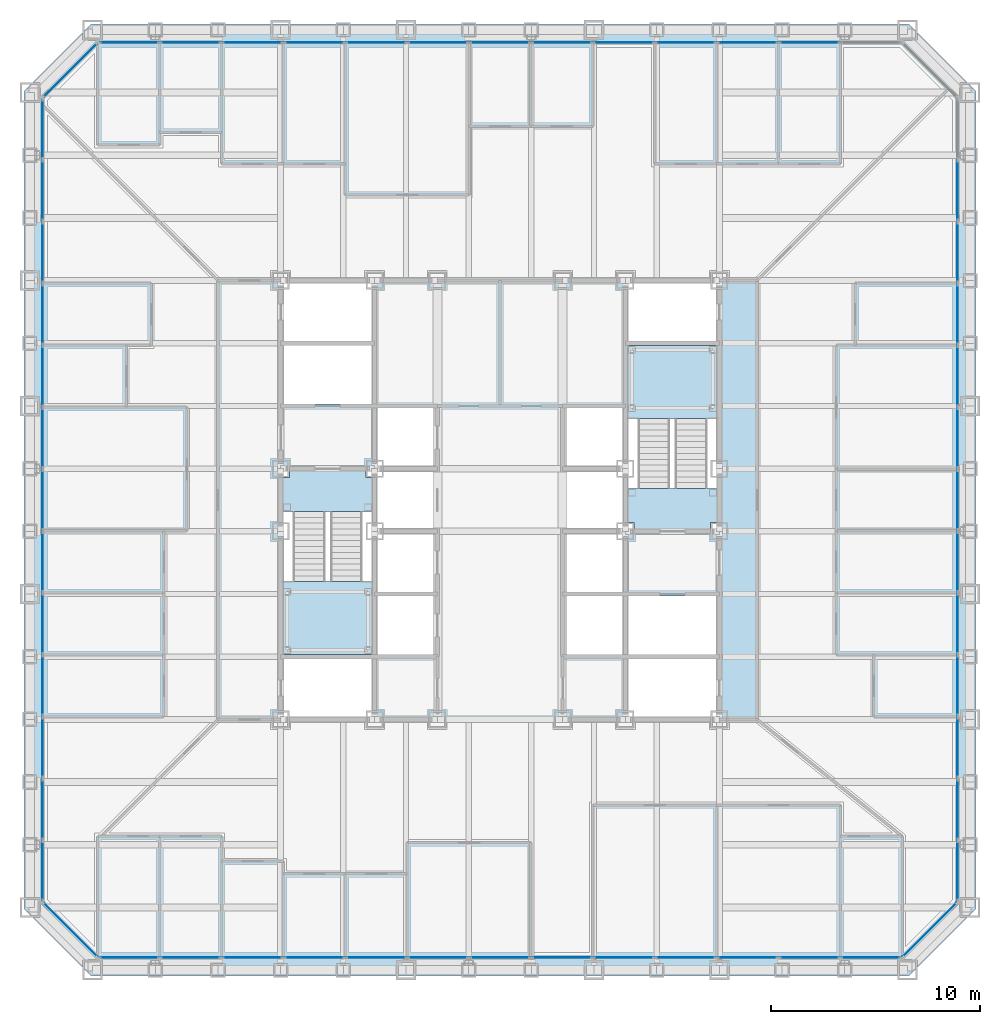
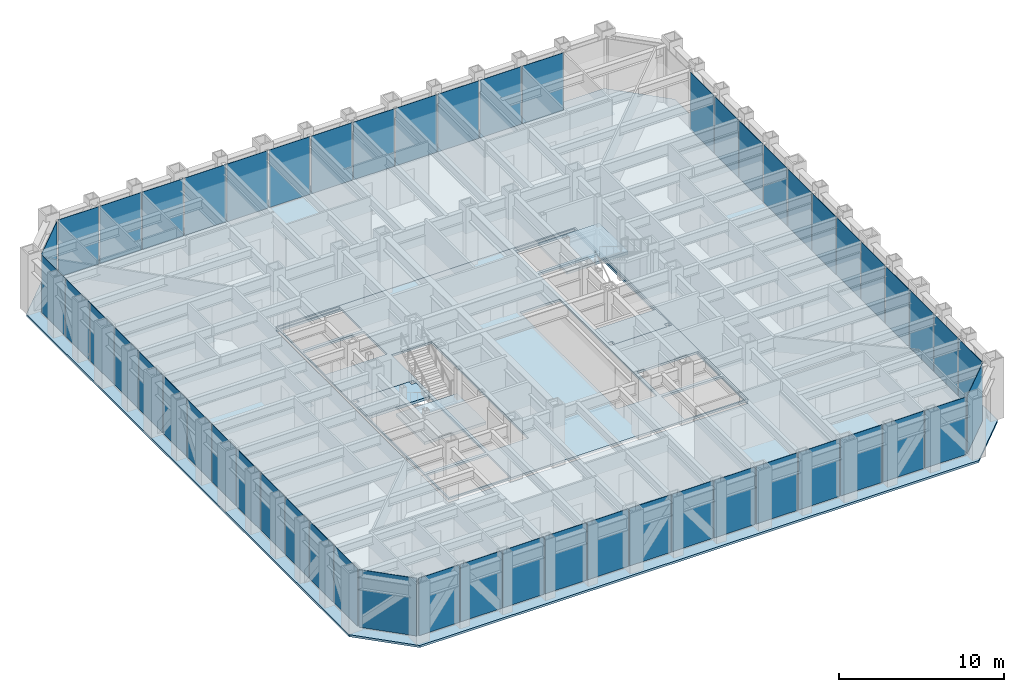
# One storey, part 7 of 17: 53 plates, 6 slabs, 9 elements without a shape of their own.
"""IFC4 building model written with IfcOpenShell, lengths in metres."""

from ifc_helpers import new_model, si_unit, direction, frame, origin, origin_2d, place, context, subcontext, project, spatial, polyline, rectangle, outline, extrude, material, layer, layer_set, type_object, element, aggregate, save


model = new_model("IFC4")

# Units and contexts
model_context = context("Model", 3, precision=1e-05, world=origin(), true_north=direction((0.0, 1.0)))
body_context = subcontext(model_context, "Body", "Model", "MODEL_VIEW")
ifc_project = project(units=[si_unit("LENGTHUNIT", "METRE"), si_unit("AREAUNIT", "SQUARE_METRE"), si_unit("VOLUMEUNIT", "CUBIC_METRE"), si_unit("PLANEANGLEUNIT", "RADIAN"), si_unit("MASSUNIT", "GRAM", prefix="KILO")], contexts=[model_context])

# Site, building, storey
site_placement = place(None, origin())
site = spatial("IfcSite", under=ifc_project, at=site_placement, CompositionType="ELEMENT")
building_placement = place(site_placement, origin())
building = spatial("IfcBuilding", under=site, at=building_placement, Name="Chuquiago Exchange Tower", CompositionType="ELEMENT")
storey_placement = place(building_placement, frame((0.0, 0.0, 42.300048828125)))
storey = spatial("IfcBuildingStorey", under=building, at=storey_placement, Name="L08", CompositionType="ELEMENT", Elevation=42.300048828125)

# Curtain wall, plates
ifc_material_1 = material(Name="Aluminium curtain wall system", Category="aluminium")
ifc_layer_1 = layer(ifc_material_1, 0.25)
ifc_layer_set_1 = layer_set([ifc_layer_1], Name="CW1 trading floor curtain wall")
curtain_wall_type_1 = type_object("IfcCurtainWallType", Name="CW1 trading floor curtain wall", PredefinedType="NOTDEFINED", material=ifc_layer_set_1)
curtain_wall_1_placement = place(storey_placement, origin())
curtain_wall_1 = element("IfcCurtainWall", 1, at=curtain_wall_1_placement, inside=storey, type_object=curtain_wall_type_1, Name="CW1 curtain wall L08", PredefinedType="NOTDEFINED")
ifc_material_2 = material(Name="Glass, insulating unit", Category="glass")
ifc_layer_2 = layer(ifc_material_2, 0.031982421875)
ifc_layer_set_2 = layer_set([ifc_layer_2], Name="CW1-P panel 32")
plate_type_1 = type_object("IfcPlateType", Name="CW1-P panel 32", PredefinedType="CURTAIN_PANEL", material=ifc_layer_set_2)
plate_1_placement = place(storey_placement, frame((10.65283203125, 0.60009765625, -0.22509765625), z_axis=(0.0, 0.0, 1.0), x_axis=(1.0, 0.0, 0.0)))
plate_1 = element("IfcPlate", 2, at=plate_1_placement, type_object=plate_type_1, Name="CW1 panel 3.1", PredefinedType="CURTAIN_PANEL", context=body_context, shape_type="SweptSolid", body=[
    extrude(rectangle(XDim=2.88671875, YDim=0.031982421875, at=origin_2d()), origin(), (0.0, 0.0, 1.0), 4.264892578125),
])
plate_2_placement = place(storey_placement, frame((13.61474609375, 0.60009765625, -0.22509765625), z_axis=(0.0, 0.0, 1.0), x_axis=(1.0, 0.0, 0.0)))
plate_2 = element("IfcPlate", 3, at=plate_2_placement, type_object=plate_type_1, Name="CW1 panel 4.1", PredefinedType="CURTAIN_PANEL", context=body_context, shape_type="SweptSolid", body=[
    extrude(rectangle(XDim=2.88671875, YDim=0.031982421875, at=origin_2d()), origin(), (0.0, 0.0, 1.0), 4.264892578125),
])
plate_3_placement = place(storey_placement, frame((16.576416015625, 0.60009765625, -0.22509765625), z_axis=(0.0, 0.0, 1.0), x_axis=(1.0, 0.0, 0.0)))
plate_3 = element("IfcPlate", 4, at=plate_3_placement, type_object=plate_type_1, Name="CW1 panel 5.1", PredefinedType="CURTAIN_PANEL", context=body_context, shape_type="SweptSolid", body=[
    extrude(rectangle(XDim=2.88671875, YDim=0.031982421875, at=origin_2d()), origin(), (0.0, 0.0, 1.0), 4.264892578125),
])
plate_4_placement = place(storey_placement, frame((25.461669921875, 0.60009765625, -0.22509765625), z_axis=(0.0, 0.0, 1.0), x_axis=(1.0, 0.0, 0.0)))
plate_4 = element("IfcPlate", 5, at=plate_4_placement, type_object=plate_type_1, Name="CW1 panel 8.1", PredefinedType="CURTAIN_PANEL", context=body_context, shape_type="SweptSolid", body=[
    extrude(rectangle(XDim=2.88671875, YDim=0.031982421875, at=origin_2d()), origin(), (0.0, 0.0, 1.0), 4.264892578125),
])
plate_5_placement = place(storey_placement, frame((28.423583984375, 0.60009765625, -0.22509765625), z_axis=(0.0, 0.0, 1.0), x_axis=(1.0, 0.0, 0.0)))
plate_5 = element("IfcPlate", 6, at=plate_5_placement, type_object=plate_type_1, Name="CW1 panel 9.1", PredefinedType="CURTAIN_PANEL", context=body_context, shape_type="SweptSolid", body=[
    extrude(rectangle(XDim=2.88671875, YDim=0.031982421875, at=origin_2d()), origin(), (0.0, 0.0, 1.0), 4.264892578125),
])
plate_6_placement = place(storey_placement, frame((31.38525390625, 0.60009765625, -0.22509765625), z_axis=(0.0, 0.0, 1.0), x_axis=(1.0, 0.0, 0.0)))
plate_6 = element("IfcPlate", 7, at=plate_6_placement, type_object=plate_type_1, Name="CW1 panel 10.1", PredefinedType="CURTAIN_PANEL", context=body_context, shape_type="SweptSolid", body=[
    extrude(rectangle(XDim=2.88671875, YDim=0.031982421875, at=origin_2d()), origin(), (0.0, 0.0, 1.0), 4.264892578125),
])
plate_7_placement = place(storey_placement, frame((34.34716796875, 0.60009765625, -0.22509765625), z_axis=(0.0, 0.0, 1.0), x_axis=(1.0, 0.0, 0.0)))
plate_7 = element("IfcPlate", 8, at=plate_7_placement, type_object=plate_type_1, Name="CW1 panel 11.1", PredefinedType="CURTAIN_PANEL", context=body_context, shape_type="SweptSolid", body=[
    extrude(rectangle(XDim=2.88671875, YDim=0.031982421875, at=origin_2d()), origin(), (0.0, 0.0, 1.0), 4.264892578125),
])

curtain_wall_2_placement = place(storey_placement, origin())
curtain_wall_2 = element("IfcCurtainWall", 9, at=curtain_wall_2_placement, inside=storey, type_object=curtain_wall_type_1, Name="CW1 curtain wall L08", PredefinedType="NOTDEFINED")
plate_8_placement = place(storey_placement, frame((44.39990234375, 10.65283203125, -0.22509765625), z_axis=(0.0, 0.0, 1.0), x_axis=(0.0, 1.0, 0.0)))
plate_8 = element("IfcPlate", 10, at=plate_8_placement, type_object=plate_type_1, Name="CW1 panel 3.1", PredefinedType="CURTAIN_PANEL", context=body_context, shape_type="SweptSolid", body=[
    extrude(rectangle(XDim=2.88671875, YDim=0.031982421875, at=origin_2d()), origin(), (0.0, 0.0, 1.0), 4.264892578125),
])
plate_9_placement = place(storey_placement, frame((44.39990234375, 13.61474609375, -0.22509765625), z_axis=(0.0, 0.0, 1.0), x_axis=(0.0, 1.0, 0.0)))
plate_9 = element("IfcPlate", 11, at=plate_9_placement, type_object=plate_type_1, Name="CW1 panel 4.1", PredefinedType="CURTAIN_PANEL", context=body_context, shape_type="SweptSolid", body=[
    extrude(rectangle(XDim=2.88671875, YDim=0.031982421875, at=origin_2d()), origin(), (0.0, 0.0, 1.0), 4.264892578125),
])
plate_10_placement = place(storey_placement, frame((44.39990234375, 16.576416015625, -0.22509765625), z_axis=(0.0, 0.0, 1.0), x_axis=(0.0, 1.0, 0.0)))
plate_10 = element("IfcPlate", 12, at=plate_10_placement, type_object=plate_type_1, Name="CW1 panel 5.1", PredefinedType="CURTAIN_PANEL", context=body_context, shape_type="SweptSolid", body=[
    extrude(rectangle(XDim=2.88671875, YDim=0.031982421875, at=origin_2d()), origin(), (0.0, 0.0, 1.0), 4.264892578125),
])
plate_11_placement = place(storey_placement, frame((44.39990234375, 25.461669921875, -0.22509765625), z_axis=(0.0, 0.0, 1.0), x_axis=(0.0, 1.0, 0.0)))
plate_11 = element("IfcPlate", 13, at=plate_11_placement, type_object=plate_type_1, Name="CW1 panel 8.1", PredefinedType="CURTAIN_PANEL", context=body_context, shape_type="SweptSolid", body=[
    extrude(rectangle(XDim=2.88671875, YDim=0.031982421875, at=origin_2d()), origin(), (0.0, 0.0, 1.0), 4.264892578125),
])
plate_12_placement = place(storey_placement, frame((44.39990234375, 28.423583984375, -0.22509765625), z_axis=(0.0, 0.0, 1.0), x_axis=(0.0, 1.0, 0.0)))
plate_12 = element("IfcPlate", 14, at=plate_12_placement, type_object=plate_type_1, Name="CW1 panel 9.1", PredefinedType="CURTAIN_PANEL", context=body_context, shape_type="SweptSolid", body=[
    extrude(rectangle(XDim=2.88671875, YDim=0.031982421875, at=origin_2d()), origin(), (0.0, 0.0, 1.0), 4.264892578125),
])
plate_13_placement = place(storey_placement, frame((44.39990234375, 31.38525390625, -0.22509765625), z_axis=(0.0, 0.0, 1.0), x_axis=(0.0, 1.0, 0.0)))
plate_13 = element("IfcPlate", 15, at=plate_13_placement, type_object=plate_type_1, Name="CW1 panel 10.1", PredefinedType="CURTAIN_PANEL", context=body_context, shape_type="SweptSolid", body=[
    extrude(rectangle(XDim=2.88671875, YDim=0.031982421875, at=origin_2d()), origin(), (0.0, 0.0, 1.0), 4.264892578125),
])
plate_14_placement = place(storey_placement, frame((44.39990234375, 34.34716796875, -0.22509765625), z_axis=(0.0, 0.0, 1.0), x_axis=(0.0, 1.0, 0.0)))
plate_14 = element("IfcPlate", 16, at=plate_14_placement, type_object=plate_type_1, Name="CW1 panel 11.1", PredefinedType="CURTAIN_PANEL", context=body_context, shape_type="SweptSolid", body=[
    extrude(rectangle(XDim=2.88671875, YDim=0.031982421875, at=origin_2d()), origin(), (0.0, 0.0, 1.0), 4.264892578125),
])

curtain_wall_3_placement = place(storey_placement, origin())
curtain_wall_3 = element("IfcCurtainWall", 17, at=curtain_wall_3_placement, inside=storey, type_object=curtain_wall_type_1, Name="CW1 curtain wall L08", PredefinedType="NOTDEFINED")
plate_15_placement = place(storey_placement, frame((34.34716796875, 44.39990234375, -0.22509765625), z_axis=(0.0, 0.0, 1.0), x_axis=(-1.0, 0.0, 0.0)))
plate_15 = element("IfcPlate", 18, at=plate_15_placement, type_object=plate_type_1, Name="CW1 panel 3.1", PredefinedType="CURTAIN_PANEL", context=body_context, shape_type="SweptSolid", body=[
    extrude(rectangle(XDim=2.88671875, YDim=0.031982421875, at=origin_2d()), origin(), (0.0, 0.0, 1.0), 4.264892578125),
])
plate_16_placement = place(storey_placement, frame((31.38525390625, 44.39990234375, -0.22509765625), z_axis=(0.0, 0.0, 1.0), x_axis=(-1.0, 0.0, 0.0)))
plate_16 = element("IfcPlate", 19, at=plate_16_placement, type_object=plate_type_1, Name="CW1 panel 4.1", PredefinedType="CURTAIN_PANEL", context=body_context, shape_type="SweptSolid", body=[
    extrude(rectangle(XDim=2.88671875, YDim=0.031982421875, at=origin_2d()), origin(), (0.0, 0.0, 1.0), 4.264892578125),
])
plate_17_placement = place(storey_placement, frame((28.423583984375, 44.39990234375, -0.22509765625), z_axis=(0.0, 0.0, 1.0), x_axis=(-1.0, 0.0, 0.0)))
plate_17 = element("IfcPlate", 20, at=plate_17_placement, type_object=plate_type_1, Name="CW1 panel 5.1", PredefinedType="CURTAIN_PANEL", context=body_context, shape_type="SweptSolid", body=[
    extrude(rectangle(XDim=2.88671875, YDim=0.031982421875, at=origin_2d()), origin(), (0.0, 0.0, 1.0), 4.264892578125),
])
plate_18_placement = place(storey_placement, frame((19.538330078125, 44.39990234375, -0.22509765625), z_axis=(0.0, 0.0, 1.0), x_axis=(-1.0, 0.0, 0.0)))
plate_18 = element("IfcPlate", 21, at=plate_18_placement, type_object=plate_type_1, Name="CW1 panel 8.1", PredefinedType="CURTAIN_PANEL", context=body_context, shape_type="SweptSolid", body=[
    extrude(rectangle(XDim=2.88671875, YDim=0.031982421875, at=origin_2d()), origin(), (0.0, 0.0, 1.0), 4.264892578125),
])
plate_19_placement = place(storey_placement, frame((16.576416015625, 44.39990234375, -0.22509765625), z_axis=(0.0, 0.0, 1.0), x_axis=(-1.0, 0.0, 0.0)))
plate_19 = element("IfcPlate", 22, at=plate_19_placement, type_object=plate_type_1, Name="CW1 panel 9.1", PredefinedType="CURTAIN_PANEL", context=body_context, shape_type="SweptSolid", body=[
    extrude(rectangle(XDim=2.88671875, YDim=0.031982421875, at=origin_2d()), origin(), (0.0, 0.0, 1.0), 4.264892578125),
])
plate_20_placement = place(storey_placement, frame((13.61474609375, 44.39990234375, -0.22509765625), z_axis=(0.0, 0.0, 1.0), x_axis=(-1.0, 0.0, 0.0)))
plate_20 = element("IfcPlate", 23, at=plate_20_placement, type_object=plate_type_1, Name="CW1 panel 10.1", PredefinedType="CURTAIN_PANEL", context=body_context, shape_type="SweptSolid", body=[
    extrude(rectangle(XDim=2.88671875, YDim=0.031982421875, at=origin_2d()), origin(), (0.0, 0.0, 1.0), 4.264892578125),
])
plate_21_placement = place(storey_placement, frame((10.65283203125, 44.39990234375, -0.22509765625), z_axis=(0.0, 0.0, 1.0), x_axis=(-1.0, 0.0, 0.0)))
plate_21 = element("IfcPlate", 24, at=plate_21_placement, type_object=plate_type_1, Name="CW1 panel 11.1", PredefinedType="CURTAIN_PANEL", context=body_context, shape_type="SweptSolid", body=[
    extrude(rectangle(XDim=2.88671875, YDim=0.031982421875, at=origin_2d()), origin(), (0.0, 0.0, 1.0), 4.264892578125),
])

curtain_wall_4_placement = place(storey_placement, origin())
curtain_wall_4 = element("IfcCurtainWall", 25, at=curtain_wall_4_placement, inside=storey, type_object=curtain_wall_type_1, Name="CW1 curtain wall L08", PredefinedType="NOTDEFINED")
plate_22_placement = place(storey_placement, frame((0.60009765625, 34.34716796875, -0.22509765625), z_axis=(0.0, 0.0, 1.0), x_axis=(0.0, -1.0, 0.0)))
plate_22 = element("IfcPlate", 26, at=plate_22_placement, type_object=plate_type_1, Name="CW1 panel 3.1", PredefinedType="CURTAIN_PANEL", context=body_context, shape_type="SweptSolid", body=[
    extrude(rectangle(XDim=2.88671875, YDim=0.031982421875, at=origin_2d()), origin(), (0.0, 0.0, 1.0), 4.264892578125),
])
plate_23_placement = place(storey_placement, frame((0.60009765625, 31.38525390625, -0.22509765625), z_axis=(0.0, 0.0, 1.0), x_axis=(0.0, -1.0, 0.0)))
plate_23 = element("IfcPlate", 27, at=plate_23_placement, type_object=plate_type_1, Name="CW1 panel 4.1", PredefinedType="CURTAIN_PANEL", context=body_context, shape_type="SweptSolid", body=[
    extrude(rectangle(XDim=2.88671875, YDim=0.031982421875, at=origin_2d()), origin(), (0.0, 0.0, 1.0), 4.264892578125),
])
plate_24_placement = place(storey_placement, frame((0.60009765625, 28.423583984375, -0.22509765625), z_axis=(0.0, 0.0, 1.0), x_axis=(0.0, -1.0, 0.0)))
plate_24 = element("IfcPlate", 28, at=plate_24_placement, type_object=plate_type_1, Name="CW1 panel 5.1", PredefinedType="CURTAIN_PANEL", context=body_context, shape_type="SweptSolid", body=[
    extrude(rectangle(XDim=2.88671875, YDim=0.031982421875, at=origin_2d()), origin(), (0.0, 0.0, 1.0), 4.264892578125),
])
plate_25_placement = place(storey_placement, frame((0.60009765625, 19.538330078125, -0.22509765625), z_axis=(0.0, 0.0, 1.0), x_axis=(0.0, -1.0, 0.0)))
plate_25 = element("IfcPlate", 29, at=plate_25_placement, type_object=plate_type_1, Name="CW1 panel 8.1", PredefinedType="CURTAIN_PANEL", context=body_context, shape_type="SweptSolid", body=[
    extrude(rectangle(XDim=2.88671875, YDim=0.031982421875, at=origin_2d()), origin(), (0.0, 0.0, 1.0), 4.264892578125),
])
plate_26_placement = place(storey_placement, frame((0.60009765625, 16.576416015625, -0.22509765625), z_axis=(0.0, 0.0, 1.0), x_axis=(0.0, -1.0, 0.0)))
plate_26 = element("IfcPlate", 30, at=plate_26_placement, type_object=plate_type_1, Name="CW1 panel 9.1", PredefinedType="CURTAIN_PANEL", context=body_context, shape_type="SweptSolid", body=[
    extrude(rectangle(XDim=2.88671875, YDim=0.031982421875, at=origin_2d()), origin(), (0.0, 0.0, 1.0), 4.264892578125),
])
plate_27_placement = place(storey_placement, frame((0.60009765625, 13.61474609375, -0.22509765625), z_axis=(0.0, 0.0, 1.0), x_axis=(0.0, -1.0, 0.0)))
plate_27 = element("IfcPlate", 31, at=plate_27_placement, type_object=plate_type_1, Name="CW1 panel 10.1", PredefinedType="CURTAIN_PANEL", context=body_context, shape_type="SweptSolid", body=[
    extrude(rectangle(XDim=2.88671875, YDim=0.031982421875, at=origin_2d()), origin(), (0.0, 0.0, 1.0), 4.264892578125),
])
plate_28_placement = place(storey_placement, frame((0.60009765625, 10.65283203125, -0.22509765625), z_axis=(0.0, 0.0, 1.0), x_axis=(0.0, -1.0, 0.0)))
plate_28 = element("IfcPlate", 32, at=plate_28_placement, type_object=plate_type_1, Name="CW1 panel 11.1", PredefinedType="CURTAIN_PANEL", context=body_context, shape_type="SweptSolid", body=[
    extrude(rectangle(XDim=2.88671875, YDim=0.031982421875, at=origin_2d()), origin(), (0.0, 0.0, 1.0), 4.264892578125),
])

# Plate
ifc_material_3 = material(Name="Insulated spandrel panel, pale anodised aluminium", Category="aluminium")
ifc_layer_3 = layer(ifc_material_3, 0.031982421875)
ifc_layer_set_3 = layer_set([ifc_layer_3], Name="CW1-P spandrel panel 32")
plate_type_2 = type_object("IfcPlateType", Name="CW1-P spandrel panel 32", PredefinedType="CURTAIN_PANEL", material=ifc_layer_set_3)
plate_29_placement = place(storey_placement, frame((4.748046875, 0.60009765625, -0.22509765625), z_axis=(0.0, 0.0, 1.0), x_axis=(1.0, 0.0, 0.0)))
plate_29 = element("IfcPlate", 33, at=plate_29_placement, type_object=plate_type_2, Name="CW1 panel 1.1", PredefinedType="CURTAIN_PANEL", context=body_context, shape_type="SweptSolid", body=[
    extrude(rectangle(XDim=2.849365234375, YDim=0.031982421875, at=origin_2d()), origin(), (0.0, 0.0, 1.0), 4.264892578125),
])

plate_30_placement = place(storey_placement, frame((7.691162109375, 0.60009765625, -0.22509765625), z_axis=(0.0, 0.0, 1.0), x_axis=(1.0, 0.0, 0.0)))
plate_30 = element("IfcPlate", 34, at=plate_30_placement, type_object=plate_type_2, Name="CW1 panel 2.1", PredefinedType="CURTAIN_PANEL", context=body_context, shape_type="SweptSolid", body=[
    extrude(rectangle(XDim=2.88671875, YDim=0.031982421875, at=origin_2d()), origin(), (0.0, 0.0, 1.0), 4.264892578125),
])

plate_31_placement = place(storey_placement, frame((19.538330078125, 0.60009765625, -0.22509765625), z_axis=(0.0, 0.0, 1.0), x_axis=(1.0, 0.0, 0.0)))
plate_31 = element("IfcPlate", 35, at=plate_31_placement, type_object=plate_type_2, Name="CW1 panel 6.1", PredefinedType="CURTAIN_PANEL", context=body_context, shape_type="SweptSolid", body=[
    extrude(rectangle(XDim=2.88671875, YDim=0.031982421875, at=origin_2d()), origin(), (0.0, 0.0, 1.0), 4.264892578125),
])

plate_32_placement = place(storey_placement, frame((22.5, 0.60009765625, -0.22509765625), z_axis=(0.0, 0.0, 1.0), x_axis=(1.0, 0.0, 0.0)))
plate_32 = element("IfcPlate", 36, at=plate_32_placement, type_object=plate_type_2, Name="CW1 panel 7.1", PredefinedType="CURTAIN_PANEL", context=body_context, shape_type="SweptSolid", body=[
    extrude(rectangle(XDim=2.88671875, YDim=0.031982421875, at=origin_2d()), origin(), (0.0, 0.0, 1.0), 4.264892578125),
])

plate_33_placement = place(storey_placement, frame((37.308837890625, 0.60009765625, -0.22509765625), z_axis=(0.0, 0.0, 1.0), x_axis=(1.0, 0.0, 0.0)))
plate_33 = element("IfcPlate", 37, at=plate_33_placement, type_object=plate_type_2, Name="CW1 panel 12.1", PredefinedType="CURTAIN_PANEL", context=body_context, shape_type="SweptSolid", body=[
    extrude(rectangle(XDim=2.88671875, YDim=0.031982421875, at=origin_2d()), origin(), (0.0, 0.0, 1.0), 4.264892578125),
])

plate_34_placement = place(storey_placement, frame((40.251953125, 0.60009765625, -0.22509765625), z_axis=(0.0, 0.0, 1.0), x_axis=(1.0, 0.0, 0.0)))
plate_34 = element("IfcPlate", 38, at=plate_34_placement, type_object=plate_type_2, Name="CW1 panel 13.1", PredefinedType="CURTAIN_PANEL", context=body_context, shape_type="SweptSolid", body=[
    extrude(rectangle(XDim=2.849365234375, YDim=0.031982421875, at=origin_2d()), origin(), (0.0, 0.0, 1.0), 4.264892578125),
])

aggregate(curtain_wall_1, [plate_29, plate_30, plate_1, plate_2, plate_3, plate_31, plate_32, plate_4, plate_5, plate_6, plate_7, plate_33, plate_34])

plate_35_placement = place(storey_placement, frame((44.39990234375, 4.748046875, -0.22509765625), z_axis=(0.0, 0.0, 1.0), x_axis=(0.0, 1.0, 0.0)))
plate_35 = element("IfcPlate", 39, at=plate_35_placement, type_object=plate_type_2, Name="CW1 panel 1.1", PredefinedType="CURTAIN_PANEL", context=body_context, shape_type="SweptSolid", body=[
    extrude(rectangle(XDim=2.849365234375, YDim=0.031982421875, at=origin_2d()), origin(), (0.0, 0.0, 1.0), 4.264892578125),
])

plate_36_placement = place(storey_placement, frame((44.39990234375, 7.691162109375, -0.22509765625), z_axis=(0.0, 0.0, 1.0), x_axis=(0.0, 1.0, 0.0)))
plate_36 = element("IfcPlate", 40, at=plate_36_placement, type_object=plate_type_2, Name="CW1 panel 2.1", PredefinedType="CURTAIN_PANEL", context=body_context, shape_type="SweptSolid", body=[
    extrude(rectangle(XDim=2.88671875, YDim=0.031982421875, at=origin_2d()), origin(), (0.0, 0.0, 1.0), 4.264892578125),
])

plate_37_placement = place(storey_placement, frame((44.39990234375, 19.538330078125, -0.22509765625), z_axis=(0.0, 0.0, 1.0), x_axis=(0.0, 1.0, 0.0)))
plate_37 = element("IfcPlate", 41, at=plate_37_placement, type_object=plate_type_2, Name="CW1 panel 6.1", PredefinedType="CURTAIN_PANEL", context=body_context, shape_type="SweptSolid", body=[
    extrude(rectangle(XDim=2.88671875, YDim=0.031982421875, at=origin_2d()), origin(), (0.0, 0.0, 1.0), 4.264892578125),
])

plate_38_placement = place(storey_placement, frame((44.39990234375, 22.5, -0.22509765625), z_axis=(0.0, 0.0, 1.0), x_axis=(0.0, 1.0, 0.0)))
plate_38 = element("IfcPlate", 42, at=plate_38_placement, type_object=plate_type_2, Name="CW1 panel 7.1", PredefinedType="CURTAIN_PANEL", context=body_context, shape_type="SweptSolid", body=[
    extrude(rectangle(XDim=2.88671875, YDim=0.031982421875, at=origin_2d()), origin(), (0.0, 0.0, 1.0), 4.264892578125),
])

plate_39_placement = place(storey_placement, frame((44.39990234375, 37.308837890625, -0.22509765625), z_axis=(0.0, 0.0, 1.0), x_axis=(0.0, 1.0, 0.0)))
plate_39 = element("IfcPlate", 43, at=plate_39_placement, type_object=plate_type_2, Name="CW1 panel 12.1", PredefinedType="CURTAIN_PANEL", context=body_context, shape_type="SweptSolid", body=[
    extrude(rectangle(XDim=2.88671875, YDim=0.031982421875, at=origin_2d()), origin(), (0.0, 0.0, 1.0), 4.264892578125),
])

aggregate(curtain_wall_2, [plate_35, plate_36, plate_8, plate_9, plate_10, plate_37, plate_38, plate_11, plate_12, plate_13, plate_14, plate_39])

plate_40_placement = place(storey_placement, frame((37.308837890625, 44.39990234375, -0.22509765625), z_axis=(0.0, 0.0, 1.0), x_axis=(-1.0, 0.0, 0.0)))
plate_40 = element("IfcPlate", 44, at=plate_40_placement, type_object=plate_type_2, Name="CW1 panel 2.1", PredefinedType="CURTAIN_PANEL", context=body_context, shape_type="SweptSolid", body=[
    extrude(rectangle(XDim=2.88671875, YDim=0.031982421875, at=origin_2d()), origin(), (0.0, 0.0, 1.0), 4.264892578125),
])

plate_41_placement = place(storey_placement, frame((25.461669921875, 44.39990234375, -0.22509765625), z_axis=(0.0, 0.0, 1.0), x_axis=(-1.0, 0.0, 0.0)))
plate_41 = element("IfcPlate", 45, at=plate_41_placement, type_object=plate_type_2, Name="CW1 panel 6.1", PredefinedType="CURTAIN_PANEL", context=body_context, shape_type="SweptSolid", body=[
    extrude(rectangle(XDim=2.88671875, YDim=0.031982421875, at=origin_2d()), origin(), (0.0, 0.0, 1.0), 4.264892578125),
])

plate_42_placement = place(storey_placement, frame((22.5, 44.39990234375, -0.22509765625), z_axis=(0.0, 0.0, 1.0), x_axis=(-1.0, 0.0, 0.0)))
plate_42 = element("IfcPlate", 46, at=plate_42_placement, type_object=plate_type_2, Name="CW1 panel 7.1", PredefinedType="CURTAIN_PANEL", context=body_context, shape_type="SweptSolid", body=[
    extrude(rectangle(XDim=2.88671875, YDim=0.031982421875, at=origin_2d()), origin(), (0.0, 0.0, 1.0), 4.264892578125),
])

plate_43_placement = place(storey_placement, frame((7.691162109375, 44.39990234375, -0.22509765625), z_axis=(0.0, 0.0, 1.0), x_axis=(-1.0, 0.0, 0.0)))
plate_43 = element("IfcPlate", 47, at=plate_43_placement, type_object=plate_type_2, Name="CW1 panel 12.1", PredefinedType="CURTAIN_PANEL", context=body_context, shape_type="SweptSolid", body=[
    extrude(rectangle(XDim=2.88671875, YDim=0.031982421875, at=origin_2d()), origin(), (0.0, 0.0, 1.0), 4.264892578125),
])

plate_44_placement = place(storey_placement, frame((4.748046875, 44.39990234375, -0.22509765625), z_axis=(0.0, 0.0, 1.0), x_axis=(-1.0, 0.0, 0.0)))
plate_44 = element("IfcPlate", 48, at=plate_44_placement, type_object=plate_type_2, Name="CW1 panel 13.1", PredefinedType="CURTAIN_PANEL", context=body_context, shape_type="SweptSolid", body=[
    extrude(rectangle(XDim=2.849365234375, YDim=0.031982421875, at=origin_2d()), origin(), (0.0, 0.0, 1.0), 4.264892578125),
])

aggregate(curtain_wall_3, [plate_40, plate_15, plate_16, plate_17, plate_41, plate_42, plate_18, plate_19, plate_20, plate_21, plate_43, plate_44])

plate_45_placement = place(storey_placement, frame((0.60009765625, 40.251953125, -0.22509765625), z_axis=(0.0, 0.0, 1.0), x_axis=(0.0, -1.0, 0.0)))
plate_45 = element("IfcPlate", 49, at=plate_45_placement, type_object=plate_type_2, Name="CW1 panel 1.1", PredefinedType="CURTAIN_PANEL", context=body_context, shape_type="SweptSolid", body=[
    extrude(rectangle(XDim=2.849365234375, YDim=0.031982421875, at=origin_2d()), origin(), (0.0, 0.0, 1.0), 4.264892578125),
])

plate_46_placement = place(storey_placement, frame((0.60009765625, 37.308837890625, -0.22509765625), z_axis=(0.0, 0.0, 1.0), x_axis=(0.0, -1.0, 0.0)))
plate_46 = element("IfcPlate", 50, at=plate_46_placement, type_object=plate_type_2, Name="CW1 panel 2.1", PredefinedType="CURTAIN_PANEL", context=body_context, shape_type="SweptSolid", body=[
    extrude(rectangle(XDim=2.88671875, YDim=0.031982421875, at=origin_2d()), origin(), (0.0, 0.0, 1.0), 4.264892578125),
])

plate_47_placement = place(storey_placement, frame((0.60009765625, 25.461669921875, -0.22509765625), z_axis=(0.0, 0.0, 1.0), x_axis=(0.0, -1.0, 0.0)))
plate_47 = element("IfcPlate", 51, at=plate_47_placement, type_object=plate_type_2, Name="CW1 panel 6.1", PredefinedType="CURTAIN_PANEL", context=body_context, shape_type="SweptSolid", body=[
    extrude(rectangle(XDim=2.88671875, YDim=0.031982421875, at=origin_2d()), origin(), (0.0, 0.0, 1.0), 4.264892578125),
])

plate_48_placement = place(storey_placement, frame((0.60009765625, 22.5, -0.22509765625), z_axis=(0.0, 0.0, 1.0), x_axis=(0.0, -1.0, 0.0)))
plate_48 = element("IfcPlate", 52, at=plate_48_placement, type_object=plate_type_2, Name="CW1 panel 7.1", PredefinedType="CURTAIN_PANEL", context=body_context, shape_type="SweptSolid", body=[
    extrude(rectangle(XDim=2.88671875, YDim=0.031982421875, at=origin_2d()), origin(), (0.0, 0.0, 1.0), 4.264892578125),
])

plate_49_placement = place(storey_placement, frame((0.60009765625, 7.691162109375, -0.22509765625), z_axis=(0.0, 0.0, 1.0), x_axis=(0.0, -1.0, 0.0)))
plate_49 = element("IfcPlate", 53, at=plate_49_placement, type_object=plate_type_2, Name="CW1 panel 12.1", PredefinedType="CURTAIN_PANEL", context=body_context, shape_type="SweptSolid", body=[
    extrude(rectangle(XDim=2.88671875, YDim=0.031982421875, at=origin_2d()), origin(), (0.0, 0.0, 1.0), 4.264892578125),
])

plate_50_placement = place(storey_placement, frame((0.60009765625, 4.748046875, -0.22509765625), z_axis=(0.0, 0.0, 1.0), x_axis=(0.0, -1.0, 0.0)))
plate_50 = element("IfcPlate", 54, at=plate_50_placement, type_object=plate_type_2, Name="CW1 panel 13.1", PredefinedType="CURTAIN_PANEL", context=body_context, shape_type="SweptSolid", body=[
    extrude(rectangle(XDim=2.849365234375, YDim=0.031982421875, at=origin_2d()), origin(), (0.0, 0.0, 1.0), 4.264892578125),
])

aggregate(curtain_wall_4, [plate_45, plate_46, plate_22, plate_23, plate_24, plate_47, plate_48, plate_25, plate_26, plate_27, plate_28, plate_49, plate_50])

# Curtain wall, plate
ifc_material_4 = material(Name="Aluminium curtain wall system", Category="aluminium")
ifc_layer_4 = layer(ifc_material_4, 0.199951171875)
ifc_layer_set_4 = layer_set([ifc_layer_4], Name="CW3 facet curtain wall")
curtain_wall_type_2 = type_object("IfcCurtainWallType", Name="CW3 facet curtain wall", PredefinedType="NOTDEFINED", material=ifc_layer_set_4)
curtain_wall_5_placement = place(storey_placement, origin())
curtain_wall_5 = element("IfcCurtainWall", 55, at=curtain_wall_5_placement, inside=storey, type_object=curtain_wall_type_2, Name="CW3 curtain wall L08", PredefinedType="NOTDEFINED")
ifc_material_5 = material(Name="Insulated spandrel panel, pale anodised aluminium", Category="aluminium")
ifc_layer_5 = layer(ifc_material_5, 0.030029296875)
ifc_layer_set_5 = layer_set([ifc_layer_5], Name="CW3-P spandrel panel 30")
plate_type_3 = type_object("IfcPlateType", Name="CW3-P spandrel panel 30", PredefinedType="CURTAIN_PANEL", material=ifc_layer_set_5)
plate_51_placement = place(storey_placement, frame((43.07568359375, 1.92431640625, -0.235107421875), z_axis=(0.0, 0.0, 1.0), x_axis=(0.707106781187, 0.707106781187, 0.0)))
plate_51 = element("IfcPlate", 56, at=plate_51_placement, type_object=plate_type_3, Name="CW3 panel 1.1", PredefinedType="CURTAIN_PANEL", context=body_context, shape_type="SweptSolid", body=[
    extrude(rectangle(XDim=3.615478515625, YDim=0.030029296875, at=origin_2d()), origin(), (0.0, 0.0, 1.0), 4.27490234375),
])
aggregate(curtain_wall_5, [plate_51])

curtain_wall_6_placement = place(storey_placement, origin())
curtain_wall_6 = element("IfcCurtainWall", 57, at=curtain_wall_6_placement, inside=storey, type_object=curtain_wall_type_2, Name="CW3 curtain wall L08", PredefinedType="NOTDEFINED")
plate_52_placement = place(storey_placement, frame((1.92431640625, 43.07568359375, -0.235107421875), z_axis=(0.0, 0.0, 1.0), x_axis=(-0.707106781187, -0.707106781187, 0.0)))
plate_52 = element("IfcPlate", 58, at=plate_52_placement, type_object=plate_type_3, Name="CW3 panel 1.1", PredefinedType="CURTAIN_PANEL", context=body_context, shape_type="SweptSolid", body=[
    extrude(rectangle(XDim=3.615478515625, YDim=0.030029296875, at=origin_2d()), origin(), (0.0, 0.0, 1.0), 4.27490234375),
])
aggregate(curtain_wall_6, [plate_52])

curtain_wall_7_placement = place(storey_placement, origin())
curtain_wall_7 = element("IfcCurtainWall", 59, at=curtain_wall_7_placement, inside=storey, type_object=curtain_wall_type_2, Name="CW3 curtain wall L08", PredefinedType="NOTDEFINED")
plate_53_placement = place(storey_placement, frame((1.92431640625, 1.92431640625, -0.235107421875), z_axis=(0.0, 0.0, 1.0), x_axis=(0.707106781187, -0.707106781187, 0.0)))
plate_53 = element("IfcPlate", 60, at=plate_53_placement, type_object=plate_type_3, Name="CW3 panel 1.1", PredefinedType="CURTAIN_PANEL", context=body_context, shape_type="SweptSolid", body=[
    extrude(rectangle(XDim=3.615478515625, YDim=0.030029296875, at=origin_2d()), origin(), (0.0, 0.0, 1.0), 4.27490234375),
])
aggregate(curtain_wall_7, [plate_53])

# Slabs
ifc_material_6 = material(Name="Concrete C30/37", Category="concrete")
ifc_layer_6 = layer(ifc_material_6, 0.159912109375)
ifc_layer_set_6 = layer_set([ifc_layer_6], Name="FS1 composite floor 160")
slab_type_1 = type_object("IfcSlabType", Name="FS1 composite floor 160", PredefinedType="FLOOR", material=ifc_layer_set_6)
slab_1_placement = place(storey_placement, frame((0.0, 0.0, -0.4599609375)))
element("IfcSlab", 61, at=slab_1_placement, inside=storey, type_object=slab_type_1, Name="L08 floor slab, lowered under the raised floor", PredefinedType="FLOOR", context=body_context, shape_type="SweptSolid", body=[
    extrude(outline(polyline([(-0.25, 2.896484375), (-0.25, 42.103515625), (2.896484375, 45.25), (42.103515625, 45.25), (45.25, 42.103515625), (45.25, 2.896484375), (42.103515625, -0.25), (2.896484375, -0.25), (-0.25, 2.896484375)]), holes=[polyline([(33.0, 33.0), (12.0, 33.0), (12.0, 12.0), (33.0, 12.0), (33.0, 33.0)])]), origin(), (0.0, 0.0, 1.0), 0.159912109375),
])
slab_2_placement = place(storey_placement, frame((0.0, 0.0, -0.16015625)))
element("IfcSlab", 62, at=slab_2_placement, inside=storey, type_object=slab_type_1, Name="L08 core floor slab", PredefinedType="FLOOR", context=body_context, shape_type="SweptSolid", body=[
    extrude(outline(polyline([(33.0, 12.0), (33.0, 33.0), (12.0, 33.0), (12.0, 12.0), (33.0, 12.0)]), holes=[polyline([(16.39990234375, 15.10009765625), (12.10009765625, 15.10009765625), (12.10009765625, 23.89990234375), (16.39990234375, 23.89990234375), (16.39990234375, 15.10009765625)]), polyline([(32.89990234375, 21.10009765625), (28.60009765625, 21.10009765625), (28.60009765625, 29.89990234375), (32.89990234375, 29.89990234375), (32.89990234375, 21.10009765625)]), polyline([(16.39990234375, 12.10009765625), (12.10009765625, 12.10009765625), (12.10009765625, 14.89990234375), (16.39990234375, 14.89990234375), (16.39990234375, 12.10009765625)]), polyline([(16.39990234375, 30.10009765625), (12.10009765625, 30.10009765625), (12.10009765625, 32.89990234375), (16.39990234375, 32.89990234375), (16.39990234375, 30.10009765625)]), polyline([(32.89990234375, 12.10009765625), (28.60009765625, 12.10009765625), (28.60009765625, 14.89990234375), (32.89990234375, 14.89990234375), (32.89990234375, 12.10009765625)]), polyline([(32.89990234375, 30.10009765625), (28.60009765625, 30.10009765625), (28.60009765625, 32.89990234375), (32.89990234375, 32.89990234375), (32.89990234375, 30.10009765625)]), polyline([(16.39990234375, 27.10009765625), (12.10009765625, 27.10009765625), (12.10009765625, 29.89990234375), (16.39990234375, 29.89990234375), (16.39990234375, 27.10009765625)]), polyline([(32.89990234375, 15.10009765625), (28.60009765625, 15.10009765625), (28.60009765625, 17.89990234375), (32.89990234375, 17.89990234375), (32.89990234375, 15.10009765625)]), polyline([(19.39990234375, 15.10009765625), (16.60009765625, 15.10009765625), (16.60009765625, 26.89990234375), (19.39990234375, 26.89990234375), (19.39990234375, 15.10009765625)]), polyline([(28.39990234375, 15.10009765625), (25.60009765625, 15.10009765625), (25.60009765625, 26.89990234375), (28.39990234375, 26.89990234375), (28.39990234375, 15.10009765625)])]), origin(), (0.0, 0.0, 1.0), 0.16015625),
])

# Stair, slabs
ifc_material_7 = material(Name="Concrete C30/37, precast", Category="concrete")
stair_type_1 = type_object("IfcStairType", Name="ST1 half-turn stair 4500", PredefinedType="HALF_TURN_STAIR", material=ifc_material_7)
stair_1_placement = place(storey_placement, origin())
stair_1 = element("IfcStair", 63, at=stair_1_placement, inside=storey, type_object=stair_type_1, Name="Stair ST1 L08", PredefinedType="HALF_TURN_STAIR")
ifc_material_8 = material(Name="Concrete C30/37, precast", Category="concrete")
ifc_layer_7 = layer(ifc_material_8, 0.199951171875)
ifc_layer_set_7 = layer_set([ifc_layer_7], Name="ST-L landing 200")
slab_type_2 = type_object("IfcSlabType", Name="ST-L landing 200", PredefinedType="LANDING", material=ifc_layer_set_7)
slab_3_placement = place(storey_placement, frame((0.0, 0.0, -0.199951171875)))
slab_3 = element("IfcSlab", 64, at=slab_3_placement, type_object=slab_type_2, Name="ST1 landing 1", PredefinedType="LANDING", context=body_context, shape_type="SweptSolid", body=[
    extrude(outline(polyline([(12.425048828125, 23.89990234375), (16.074951171875, 23.89990234375), (16.074951171875, 23.574951171875), (16.39990234375, 23.574951171875), (16.39990234375, 21.949951171875), (12.10009765625, 21.949951171875), (12.10009765625, 23.574951171875), (12.425048828125, 23.574951171875), (12.425048828125, 23.89990234375)])), origin(), (0.0, 0.0, 1.0), 0.199951171875),
])
slab_4_placement = place(storey_placement, frame((0.0, 0.0, 2.050048828125)))
slab_4 = element("IfcSlab", 65, at=slab_4_placement, type_object=slab_type_2, Name="ST1 landing 2", PredefinedType="LANDING", context=body_context, shape_type="SweptSolid", body=[
    extrude(outline(polyline([(12.10009765625, 18.590087890625), (16.39990234375, 18.590087890625), (16.39990234375, 15.10009765625), (12.10009765625, 15.10009765625), (12.10009765625, 18.590087890625)])), origin(), (0.0, 0.0, 1.0), 0.199951171875),
])
aggregate(stair_1, [slab_3, slab_4])

ifc_material_9 = material(Name="Concrete C30/37, precast", Category="concrete")
stair_type_2 = type_object("IfcStairType", Name="ST2 half-turn stair 4500", PredefinedType="HALF_TURN_STAIR", material=ifc_material_9)
stair_2_placement = place(storey_placement, origin())
stair_2 = element("IfcStair", 66, at=stair_2_placement, inside=storey, type_object=stair_type_2, Name="Stair ST2 L08", PredefinedType="HALF_TURN_STAIR")
slab_5_placement = place(storey_placement, frame((0.0, 0.0, -0.199951171875)))
slab_5 = element("IfcSlab", 67, at=slab_5_placement, type_object=slab_type_2, Name="ST2 landing 1", PredefinedType="LANDING", context=body_context, shape_type="SweptSolid", body=[
    extrude(outline(polyline([(32.574951171875, 21.425048828125), (32.574951171875, 21.10009765625), (28.925048828125, 21.10009765625), (28.925048828125, 21.425048828125), (28.60009765625, 21.425048828125), (28.60009765625, 23.050048828125), (32.89990234375, 23.050048828125), (32.89990234375, 21.425048828125), (32.574951171875, 21.425048828125)])), origin(), (0.0, 0.0, 1.0), 0.199951171875),
])
slab_6_placement = place(storey_placement, frame((0.0, 0.0, 2.050048828125)))
slab_6 = element("IfcSlab", 68, at=slab_6_placement, type_object=slab_type_2, Name="ST2 landing 2", PredefinedType="LANDING", context=body_context, shape_type="SweptSolid", body=[
    extrude(outline(polyline([(28.60009765625, 29.89990234375), (32.89990234375, 29.89990234375), (32.89990234375, 26.409912109375), (28.60009765625, 26.409912109375), (28.60009765625, 29.89990234375)])), origin(), (0.0, 0.0, 1.0), 0.199951171875),
])
aggregate(stair_2, [slab_5, slab_6])

save(model, "model.ifc")
